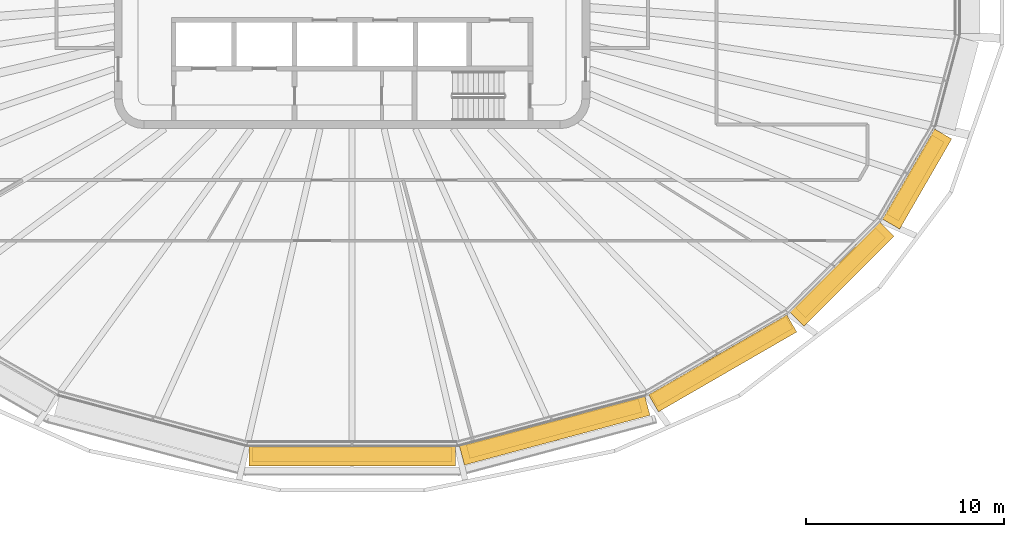
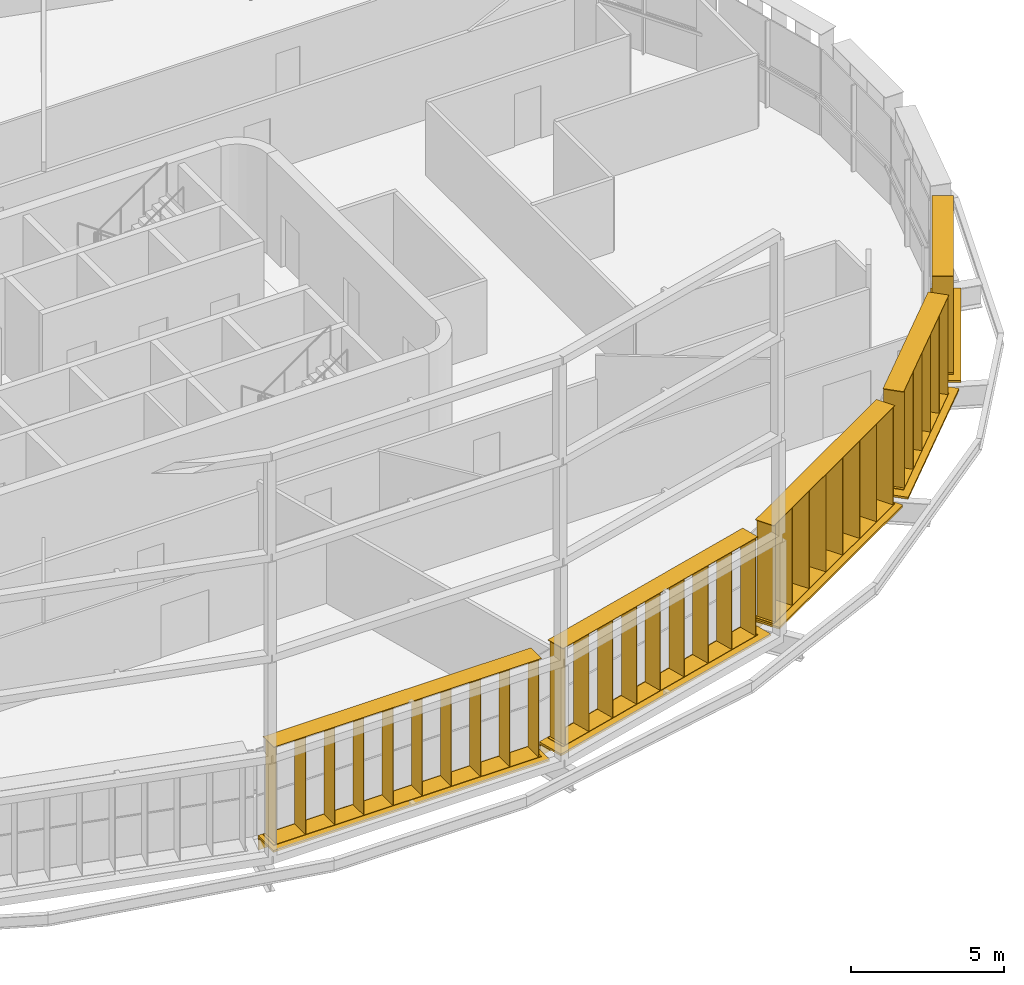
# One storey, part 18 of 20: 10 shading devices.
"""IFC4 building model written with IfcOpenShell, lengths in metres."""

from ifc_helpers import new_model, si_unit, direction, frame, origin, origin_2d, place, context, subcontext, project, spatial, rectangle, extrude, material, type_object, element, save


model = new_model("IFC4")

# Units and contexts
model_context = context("Model", 3, precision=1e-05, world=origin(), true_north=direction((0.0, 1.0)))
body_context = subcontext(model_context, "Body", "Model", "MODEL_VIEW")
ifc_project = project(units=[si_unit("LENGTHUNIT", "METRE"), si_unit("AREAUNIT", "SQUARE_METRE"), si_unit("VOLUMEUNIT", "CUBIC_METRE"), si_unit("PLANEANGLEUNIT", "RADIAN"), si_unit("MASSUNIT", "GRAM", prefix="KILO")], contexts=[model_context])

# Site, building, storey
site_placement = place(None, origin())
site = spatial("IfcSite", under=ifc_project, at=site_placement, CompositionType="ELEMENT")
building_placement = place(site_placement, origin())
building = spatial("IfcBuilding", under=site, at=building_placement, Name="Sahrelin Media Tower", CompositionType="ELEMENT")
storey_placement = place(building_placement, frame((0.0, 0.0, 209.60009765625)))
storey = spatial("IfcBuildingStorey", under=building, at=storey_placement, Name="L44", CompositionType="ELEMENT", Elevation=209.60009765625)

# Shading devices
ifc_material = material(Name="Champagne anodised aluminium 6063-T6", Category="aluminium")
shading_device_type_1 = type_object("IfcShadingDeviceType", Name="Fin cassette", PredefinedType="USERDEFINED", material=ifc_material)
placement_1 = place(storey_placement, frame((0.0, -23.015625, 0.0), z_axis=(0.0, 0.0, 1.0), x_axis=(-1.0, 0.0, 0.0)))
element("IfcShadingDevice", 1, at=placement_1, inside=storey, type_object=shading_device_type_1, Name="L44:FIN:L44-18", ObjectType="FIN", PredefinedType="USERDEFINED", context=body_context, shape_type="SweptSolid", body=[
    extrude(rectangle(XDim=10.10009765625, YDim=0.699951171875, at=origin_2d()), frame((0.0, 0.419921875, 0.0)), (0.0, 0.0, 1.0), 0.02001953125),
    extrude(rectangle(XDim=10.10009765625, YDim=0.699951171875, at=origin_2d()), frame((0.0, 0.419921875, 3.89990234375)), (0.0, 0.0, 1.0), 0.02001953125),
    extrude(rectangle(XDim=0.02001953125, YDim=0.699951171875, at=origin_2d()), frame((-4.949951171875, 0.419921875, 0.010009765625), z_axis=(0.0, 0.0, 1.0), x_axis=(1.0, 0.0, 0.0)), (0.0, 0.0, 1.0), 3.89990234375),
    extrude(rectangle(XDim=0.02001953125, YDim=0.699951171875, at=origin_2d()), frame((-3.85009765625, 0.419921875, 0.010009765625), z_axis=(0.0, 0.0, 1.0), x_axis=(1.0, 0.0, 0.0)), (0.0, 0.0, 1.0), 3.89990234375),
    extrude(rectangle(XDim=0.02001953125, YDim=0.699951171875, at=origin_2d()), frame((-2.75, 0.419921875, 0.010009765625), z_axis=(0.0, 0.0, 1.0), x_axis=(1.0, 0.0, 0.0)), (0.0, 0.0, 1.0), 3.89990234375),
    extrude(rectangle(XDim=0.02001953125, YDim=0.699951171875, at=origin_2d()), frame((-1.64990234375, 0.419921875, 0.010009765625), z_axis=(0.0, 0.0, 1.0), x_axis=(1.0, 0.0, 0.0)), (0.0, 0.0, 1.0), 3.89990234375),
    extrude(rectangle(XDim=0.02001953125, YDim=0.699951171875, at=origin_2d()), frame((-0.550048828125, 0.419921875, 0.010009765625), z_axis=(0.0, 0.0, 1.0), x_axis=(1.0, 0.0, 0.0)), (0.0, 0.0, 1.0), 3.89990234375),
    extrude(rectangle(XDim=0.02001953125, YDim=0.699951171875, at=origin_2d()), frame((0.550048828125, 0.419921875, 0.010009765625), z_axis=(0.0, 0.0, 1.0), x_axis=(1.0, 0.0, 0.0)), (0.0, 0.0, 1.0), 3.89990234375),
    extrude(rectangle(XDim=0.02001953125, YDim=0.699951171875, at=origin_2d()), frame((1.64990234375, 0.419921875, 0.010009765625), z_axis=(0.0, 0.0, 1.0), x_axis=(1.0, 0.0, 0.0)), (0.0, 0.0, 1.0), 3.89990234375),
    extrude(rectangle(XDim=0.02001953125, YDim=0.699951171875, at=origin_2d()), frame((2.75, 0.419921875, 0.010009765625), z_axis=(0.0, 0.0, 1.0), x_axis=(1.0, 0.0, 0.0)), (0.0, 0.0, 1.0), 3.89990234375),
    extrude(rectangle(XDim=0.02001953125, YDim=0.699951171875, at=origin_2d()), frame((3.85009765625, 0.419921875, 0.010009765625), z_axis=(0.0, 0.0, 1.0), x_axis=(1.0, 0.0, 0.0)), (0.0, 0.0, 1.0), 3.89990234375),
    extrude(rectangle(XDim=0.02001953125, YDim=0.699951171875, at=origin_2d()), frame((4.949951171875, 0.419921875, 0.010009765625), z_axis=(0.0, 0.0, 1.0), x_axis=(1.0, 0.0, 0.0)), (0.0, 0.0, 1.0), 3.89990234375),
])
placement_2 = place(storey_placement, frame((10.0869140625, -21.735595703125, 0.0), z_axis=(0.0, 0.0, 1.0), x_axis=(-0.965928857556, -0.258807731996, 0.0)))
element("IfcShadingDevice", 2, at=placement_2, inside=storey, type_object=shading_device_type_1, Name="L44:FIN:L44-19", ObjectType="FIN", PredefinedType="USERDEFINED", context=body_context, shape_type="SweptSolid", body=[
    extrude(rectangle(XDim=9.0, YDim=0.699951171875, at=origin_2d()), frame((0.0, 0.419921875, 0.0)), (0.0, 0.0, 1.0), 0.02001953125),
    extrude(rectangle(XDim=9.0, YDim=0.699951171875, at=origin_2d()), frame((0.0, 0.419921875, 3.89990234375)), (0.0, 0.0, 1.0), 0.02001953125),
    extrude(rectangle(XDim=0.02001953125, YDim=0.699951171875, at=origin_2d()), frame((-4.39990234375, 0.419921875, 0.010009765625), z_axis=(0.0, 0.0, 1.0), x_axis=(1.0, 0.0, 0.0)), (0.0, 0.0, 1.0), 3.89990234375),
    extrude(rectangle(XDim=0.02001953125, YDim=0.699951171875, at=origin_2d()), frame((-3.300048828125, 0.419921875, 0.010009765625), z_axis=(0.0, 0.0, 1.0), x_axis=(1.0, 0.0, 0.0)), (0.0, 0.0, 1.0), 3.89990234375),
    extrude(rectangle(XDim=0.02001953125, YDim=0.699951171875, at=origin_2d()), frame((-2.199951171875, 0.419921875, 0.010009765625), z_axis=(0.0, 0.0, 1.0), x_axis=(1.0, 0.0, 0.0)), (0.0, 0.0, 1.0), 3.89990234375),
    extrude(rectangle(XDim=0.02001953125, YDim=0.699951171875, at=origin_2d()), frame((-1.10009765625, 0.419921875, 0.010009765625), z_axis=(0.0, 0.0, 1.0), x_axis=(1.0, 0.0, 0.0)), (0.0, 0.0, 1.0), 3.89990234375),
    extrude(rectangle(XDim=0.02001953125, YDim=0.699951171875, at=origin_2d()), frame((0.0, 0.419921875, 0.010009765625), z_axis=(0.0, 0.0, 1.0), x_axis=(1.0, 0.0, 0.0)), (0.0, 0.0, 1.0), 3.89990234375),
    extrude(rectangle(XDim=0.02001953125, YDim=0.699951171875, at=origin_2d()), frame((1.10009765625, 0.419921875, 0.010009765625), z_axis=(0.0, 0.0, 1.0), x_axis=(1.0, 0.0, 0.0)), (0.0, 0.0, 1.0), 3.89990234375),
    extrude(rectangle(XDim=0.02001953125, YDim=0.699951171875, at=origin_2d()), frame((2.199951171875, 0.419921875, 0.010009765625), z_axis=(0.0, 0.0, 1.0), x_axis=(1.0, 0.0, 0.0)), (0.0, 0.0, 1.0), 3.89990234375),
    extrude(rectangle(XDim=0.02001953125, YDim=0.699951171875, at=origin_2d()), frame((3.300048828125, 0.419921875, 0.010009765625), z_axis=(0.0, 0.0, 1.0), x_axis=(1.0, 0.0, 0.0)), (0.0, 0.0, 1.0), 3.89990234375),
    extrude(rectangle(XDim=0.02001953125, YDim=0.699951171875, at=origin_2d()), frame((4.39990234375, 0.419921875, 0.010009765625), z_axis=(0.0, 0.0, 1.0), x_axis=(1.0, 0.0, 0.0)), (0.0, 0.0, 1.0), 3.89990234375),
])
placement_3 = place(storey_placement, frame((18.439208984375, -18.3916015625, 0.0), z_axis=(0.0, 0.0, 1.0), x_axis=(-0.866019052629, -0.500011000363, 0.0)))
element("IfcShadingDevice", 3, at=placement_3, inside=storey, type_object=shading_device_type_1, Name="L44:FIN:L44-20", ObjectType="FIN", PredefinedType="USERDEFINED", context=body_context, shape_type="SweptSolid", body=[
    extrude(rectangle(XDim=7.89990234375, YDim=0.699951171875, at=origin_2d()), frame((0.0, 0.419921875, 0.0)), (0.0, 0.0, 1.0), 0.02001953125),
    extrude(rectangle(XDim=7.89990234375, YDim=0.699951171875, at=origin_2d()), frame((0.0, 0.419921875, 3.89990234375)), (0.0, 0.0, 1.0), 0.02001953125),
    extrude(rectangle(XDim=0.02001953125, YDim=0.699951171875, at=origin_2d()), frame((-3.85009765625, 0.419921875, 0.010009765625), z_axis=(0.0, 0.0, 1.0), x_axis=(1.0, 0.0, 0.0)), (0.0, 0.0, 1.0), 3.89990234375),
    extrude(rectangle(XDim=0.02001953125, YDim=0.699951171875, at=origin_2d()), frame((-2.75, 0.419921875, 0.010009765625), z_axis=(0.0, 0.0, 1.0), x_axis=(1.0, 0.0, 0.0)), (0.0, 0.0, 1.0), 3.89990234375),
    extrude(rectangle(XDim=0.02001953125, YDim=0.699951171875, at=origin_2d()), frame((-1.64990234375, 0.419921875, 0.010009765625), z_axis=(0.0, 0.0, 1.0), x_axis=(1.0, 0.0, 0.0)), (0.0, 0.0, 1.0), 3.89990234375),
    extrude(rectangle(XDim=0.02001953125, YDim=0.699951171875, at=origin_2d()), frame((-0.550048828125, 0.419921875, 0.010009765625), z_axis=(0.0, 0.0, 1.0), x_axis=(1.0, 0.0, 0.0)), (0.0, 0.0, 1.0), 3.89990234375),
    extrude(rectangle(XDim=0.02001953125, YDim=0.699951171875, at=origin_2d()), frame((0.550048828125, 0.419921875, 0.010009765625), z_axis=(0.0, 0.0, 1.0), x_axis=(1.0, 0.0, 0.0)), (0.0, 0.0, 1.0), 3.89990234375),
    extrude(rectangle(XDim=0.02001953125, YDim=0.699951171875, at=origin_2d()), frame((1.64990234375, 0.419921875, 0.010009765625), z_axis=(0.0, 0.0, 1.0), x_axis=(1.0, 0.0, 0.0)), (0.0, 0.0, 1.0), 3.89990234375),
    extrude(rectangle(XDim=0.02001953125, YDim=0.699951171875, at=origin_2d()), frame((2.75, 0.419921875, 0.010009765625), z_axis=(0.0, 0.0, 1.0), x_axis=(1.0, 0.0, 0.0)), (0.0, 0.0, 1.0), 3.89990234375),
    extrude(rectangle(XDim=0.02001953125, YDim=0.699951171875, at=origin_2d()), frame((3.85009765625, 0.419921875, 0.010009765625), z_axis=(0.0, 0.0, 1.0), x_axis=(1.0, 0.0, 0.0)), (0.0, 0.0, 1.0), 3.89990234375),
])
placement_4 = place(storey_placement, frame((24.356201171875, -13.985595703125, 0.0), z_axis=(0.0, 0.0, 1.0), x_axis=(-0.707106781187, -0.707106781187, 0.0)))
element("IfcShadingDevice", 4, at=placement_4, inside=storey, type_object=shading_device_type_1, Name="L44:FIN:L44-21", ObjectType="FIN", PredefinedType="USERDEFINED", context=body_context, shape_type="SweptSolid", body=[
    extrude(rectangle(XDim=5.699951171875, YDim=0.699951171875, at=origin_2d()), frame((0.0, 0.419921875, 0.0)), (0.0, 0.0, 1.0), 0.02001953125),
    extrude(rectangle(XDim=5.699951171875, YDim=0.699951171875, at=origin_2d()), frame((0.0, 0.419921875, 3.89990234375)), (0.0, 0.0, 1.0), 0.02001953125),
    extrude(rectangle(XDim=0.02001953125, YDim=0.699951171875, at=origin_2d()), frame((-2.75, 0.419921875, 0.010009765625), z_axis=(0.0, 0.0, 1.0), x_axis=(1.0, 0.0, 0.0)), (0.0, 0.0, 1.0), 3.89990234375),
    extrude(rectangle(XDim=0.02001953125, YDim=0.699951171875, at=origin_2d()), frame((-1.64990234375, 0.419921875, 0.010009765625), z_axis=(0.0, 0.0, 1.0), x_axis=(1.0, 0.0, 0.0)), (0.0, 0.0, 1.0), 3.89990234375),
    extrude(rectangle(XDim=0.02001953125, YDim=0.699951171875, at=origin_2d()), frame((-0.550048828125, 0.419921875, 0.010009765625), z_axis=(0.0, 0.0, 1.0), x_axis=(1.0, 0.0, 0.0)), (0.0, 0.0, 1.0), 3.89990234375),
    extrude(rectangle(XDim=0.02001953125, YDim=0.699951171875, at=origin_2d()), frame((0.550048828125, 0.419921875, 0.010009765625), z_axis=(0.0, 0.0, 1.0), x_axis=(1.0, 0.0, 0.0)), (0.0, 0.0, 1.0), 3.89990234375),
    extrude(rectangle(XDim=0.02001953125, YDim=0.699951171875, at=origin_2d()), frame((1.64990234375, 0.419921875, 0.010009765625), z_axis=(0.0, 0.0, 1.0), x_axis=(1.0, 0.0, 0.0)), (0.0, 0.0, 1.0), 3.89990234375),
    extrude(rectangle(XDim=0.02001953125, YDim=0.699951171875, at=origin_2d()), frame((2.75, 0.419921875, 0.010009765625), z_axis=(0.0, 0.0, 1.0), x_axis=(1.0, 0.0, 0.0)), (0.0, 0.0, 1.0), 3.89990234375),
])
placement_5 = place(storey_placement, frame((28.0615234375, -9.281982421875, 0.0), z_axis=(0.0, 0.0, 1.0), x_axis=(-0.500011000363, -0.866019052629, 0.0)))
element("IfcShadingDevice", 5, at=placement_5, inside=storey, type_object=shading_device_type_1, Name="L44:FIN:L44-22", ObjectType="FIN", PredefinedType="USERDEFINED", context=body_context, shape_type="SweptSolid", body=[
    extrude(rectangle(XDim=4.60009765625, YDim=0.699951171875, at=origin_2d()), frame((0.0, 0.419921875, 0.0)), (0.0, 0.0, 1.0), 0.02001953125),
    extrude(rectangle(XDim=4.60009765625, YDim=0.699951171875, at=origin_2d()), frame((0.0, 0.419921875, 3.89990234375)), (0.0, 0.0, 1.0), 0.02001953125),
    extrude(rectangle(XDim=0.02001953125, YDim=0.699951171875, at=origin_2d()), frame((-2.199951171875, 0.419921875, 0.010009765625), z_axis=(0.0, 0.0, 1.0), x_axis=(1.0, 0.0, 0.0)), (0.0, 0.0, 1.0), 3.89990234375),
    extrude(rectangle(XDim=0.02001953125, YDim=0.699951171875, at=origin_2d()), frame((-1.10009765625, 0.419921875, 0.010009765625), z_axis=(0.0, 0.0, 1.0), x_axis=(1.0, 0.0, 0.0)), (0.0, 0.0, 1.0), 3.89990234375),
    extrude(rectangle(XDim=0.02001953125, YDim=0.699951171875, at=origin_2d()), frame((0.0, 0.419921875, 0.010009765625), z_axis=(0.0, 0.0, 1.0), x_axis=(1.0, 0.0, 0.0)), (0.0, 0.0, 1.0), 3.89990234375),
    extrude(rectangle(XDim=0.02001953125, YDim=0.699951171875, at=origin_2d()), frame((1.10009765625, 0.419921875, 0.010009765625), z_axis=(0.0, 0.0, 1.0), x_axis=(1.0, 0.0, 0.0)), (0.0, 0.0, 1.0), 3.89990234375),
    extrude(rectangle(XDim=0.02001953125, YDim=0.699951171875, at=origin_2d()), frame((2.199951171875, 0.419921875, 0.010009765625), z_axis=(0.0, 0.0, 1.0), x_axis=(1.0, 0.0, 0.0)), (0.0, 0.0, 1.0), 3.89990234375),
])
shading_device_type_2 = type_object("IfcShadingDeviceType", Name="Sunshade band", PredefinedType="USERDEFINED", material=ifc_material)
element("IfcShadingDevice", 6, at=placement_1, inside=storey, type_object=shading_device_type_2, Name="L44:SUN:L44-18", ObjectType="SUNSHADE", PredefinedType="USERDEFINED", context=body_context, shape_type="SweptSolid", body=[
    extrude(rectangle(XDim=10.41943359375, YDim=0.050048828125, at=origin_2d()), frame((0.0, 0.044921875, -0.55126953125)), (0.0, 0.0, 1.0), 0.471435546875),
    extrude(rectangle(XDim=10.41943359375, YDim=1.0, at=origin_2d()), frame((0.0, 0.52001953125, -0.080078125)), (0.0, 0.0, 1.0), 0.080078125),
    extrude(rectangle(XDim=0.10009765625, YDim=0.074951171875, at=origin_2d()), frame((-5.109619140625, -0.017578125, -0.47021484375)), (0.0, 0.0, 1.0), 0.300048828125),
    extrude(rectangle(XDim=0.10009765625, YDim=0.074951171875, at=origin_2d()), frame((-3.406494140625, -0.017578125, -0.47021484375)), (0.0, 0.0, 1.0), 0.300048828125),
    extrude(rectangle(XDim=0.10009765625, YDim=0.074951171875, at=origin_2d()), frame((-1.703125, -0.017578125, -0.47021484375)), (0.0, 0.0, 1.0), 0.300048828125),
    extrude(rectangle(XDim=0.10009765625, YDim=0.074951171875, at=origin_2d()), frame((0.0, -0.017578125, -0.47021484375)), (0.0, 0.0, 1.0), 0.300048828125),
    extrude(rectangle(XDim=0.10009765625, YDim=0.074951171875, at=origin_2d()), frame((1.703125, -0.017578125, -0.47021484375)), (0.0, 0.0, 1.0), 0.300048828125),
    extrude(rectangle(XDim=0.10009765625, YDim=0.074951171875, at=origin_2d()), frame((3.406494140625, -0.017578125, -0.47021484375)), (0.0, 0.0, 1.0), 0.300048828125),
    extrude(rectangle(XDim=0.10009765625, YDim=0.074951171875, at=origin_2d()), frame((5.109619140625, -0.017578125, -0.47021484375)), (0.0, 0.0, 1.0), 0.300048828125),
])
element("IfcShadingDevice", 7, at=placement_2, inside=storey, type_object=shading_device_type_2, Name="L44:SUN:L44-19", ObjectType="SUNSHADE", PredefinedType="USERDEFINED", context=body_context, shape_type="SweptSolid", body=[
    extrude(rectangle(XDim=9.691650390625, YDim=0.050048828125, at=origin_2d()), frame((0.0, 0.044921875, -0.55126953125)), (0.0, 0.0, 1.0), 0.471435546875),
    extrude(rectangle(XDim=9.691650390625, YDim=1.0, at=origin_2d()), frame((0.0, 0.52001953125, -0.080078125)), (0.0, 0.0, 1.0), 0.080078125),
    extrude(rectangle(XDim=0.10009765625, YDim=0.074951171875, at=origin_2d()), frame((-4.745849609375, -0.017578125, -0.47021484375)), (0.0, 0.0, 1.0), 0.300048828125),
    extrude(rectangle(XDim=0.10009765625, YDim=0.074951171875, at=origin_2d()), frame((-2.847412109375, -0.017578125, -0.47021484375)), (0.0, 0.0, 1.0), 0.300048828125),
    extrude(rectangle(XDim=0.10009765625, YDim=0.074951171875, at=origin_2d()), frame((-0.94921875, -0.017578125, -0.47021484375)), (0.0, 0.0, 1.0), 0.300048828125),
    extrude(rectangle(XDim=0.10009765625, YDim=0.074951171875, at=origin_2d()), frame((0.94921875, -0.017578125, -0.47021484375)), (0.0, 0.0, 1.0), 0.300048828125),
    extrude(rectangle(XDim=0.10009765625, YDim=0.074951171875, at=origin_2d()), frame((2.847412109375, -0.017578125, -0.47021484375)), (0.0, 0.0, 1.0), 0.300048828125),
    extrude(rectangle(XDim=0.10009765625, YDim=0.074951171875, at=origin_2d()), frame((4.745849609375, -0.017578125, -0.47021484375)), (0.0, 0.0, 1.0), 0.300048828125),
])
element("IfcShadingDevice", 8, at=placement_3, inside=storey, type_object=shading_device_type_2, Name="L44:SUN:L44-20", ObjectType="SUNSHADE", PredefinedType="USERDEFINED", context=body_context, shape_type="SweptSolid", body=[
    extrude(rectangle(XDim=8.055419921875, YDim=0.050048828125, at=origin_2d()), frame((0.0, 0.044921875, -0.55126953125)), (0.0, 0.0, 1.0), 0.471435546875),
    extrude(rectangle(XDim=8.055419921875, YDim=1.0, at=origin_2d()), frame((0.0, 0.52001953125, -0.080078125)), (0.0, 0.0, 1.0), 0.080078125),
    extrude(rectangle(XDim=0.10009765625, YDim=0.074951171875, at=origin_2d()), frame((-3.927734375, -0.017578125, -0.47021484375)), (0.0, 0.0, 1.0), 0.300048828125),
    extrude(rectangle(XDim=0.10009765625, YDim=0.074951171875, at=origin_2d()), frame((-2.356689453125, -0.017578125, -0.47021484375)), (0.0, 0.0, 1.0), 0.300048828125),
    extrude(rectangle(XDim=0.10009765625, YDim=0.074951171875, at=origin_2d()), frame((-0.78564453125, -0.017578125, -0.47021484375)), (0.0, 0.0, 1.0), 0.300048828125),
    extrude(rectangle(XDim=0.10009765625, YDim=0.074951171875, at=origin_2d()), frame((0.78564453125, -0.017578125, -0.47021484375)), (0.0, 0.0, 1.0), 0.300048828125),
    extrude(rectangle(XDim=0.10009765625, YDim=0.074951171875, at=origin_2d()), frame((2.356689453125, -0.017578125, -0.47021484375)), (0.0, 0.0, 1.0), 0.300048828125),
    extrude(rectangle(XDim=0.10009765625, YDim=0.074951171875, at=origin_2d()), frame((3.927734375, -0.017578125, -0.47021484375)), (0.0, 0.0, 1.0), 0.300048828125),
])
element("IfcShadingDevice", 9, at=placement_4, inside=storey, type_object=shading_device_type_2, Name="L44:SUN:L44-21", ObjectType="SUNSHADE", PredefinedType="USERDEFINED", context=body_context, shape_type="SweptSolid", body=[
    extrude(rectangle(XDim=6.4248046875, YDim=0.050048828125, at=origin_2d()), frame((0.0, 0.044921875, -0.55126953125)), (0.0, 0.0, 1.0), 0.471435546875),
    extrude(rectangle(XDim=6.4248046875, YDim=1.0, at=origin_2d()), frame((0.0, 0.52001953125, -0.080078125)), (0.0, 0.0, 1.0), 0.080078125),
    extrude(rectangle(XDim=0.10009765625, YDim=0.074951171875, at=origin_2d()), frame((-3.1123046875, -0.017578125, -0.47021484375)), (0.0, 0.0, 1.0), 0.300048828125),
    extrude(rectangle(XDim=0.10009765625, YDim=0.074951171875, at=origin_2d()), frame((-1.55615234375, -0.017578125, -0.47021484375)), (0.0, 0.0, 1.0), 0.300048828125),
    extrude(rectangle(XDim=0.10009765625, YDim=0.074951171875, at=origin_2d()), frame((0.0, -0.017578125, -0.47021484375)), (0.0, 0.0, 1.0), 0.300048828125),
    extrude(rectangle(XDim=0.10009765625, YDim=0.074951171875, at=origin_2d()), frame((1.55615234375, -0.017578125, -0.47021484375)), (0.0, 0.0, 1.0), 0.300048828125),
    extrude(rectangle(XDim=0.10009765625, YDim=0.074951171875, at=origin_2d()), frame((3.1123046875, -0.017578125, -0.47021484375)), (0.0, 0.0, 1.0), 0.300048828125),
])
element("IfcShadingDevice", 10, at=placement_5, inside=storey, type_object=shading_device_type_2, Name="L44:SUN:L44-22", ObjectType="SUNSHADE", PredefinedType="USERDEFINED", context=body_context, shape_type="SweptSolid", body=[
    extrude(rectangle(XDim=5.253173828125, YDim=0.050048828125, at=origin_2d()), frame((0.0, 0.044921875, -0.55126953125)), (0.0, 0.0, 1.0), 0.471435546875),
    extrude(rectangle(XDim=5.253173828125, YDim=1.0, at=origin_2d()), frame((0.0, 0.52001953125, -0.080078125)), (0.0, 0.0, 1.0), 0.080078125),
    extrude(rectangle(XDim=0.10009765625, YDim=0.074951171875, at=origin_2d()), frame((-2.526611328125, -0.017578125, -0.47021484375)), (0.0, 0.0, 1.0), 0.300048828125),
    extrude(rectangle(XDim=0.10009765625, YDim=0.074951171875, at=origin_2d()), frame((-0.84228515625, -0.017578125, -0.47021484375)), (0.0, 0.0, 1.0), 0.300048828125),
    extrude(rectangle(XDim=0.10009765625, YDim=0.074951171875, at=origin_2d()), frame((0.84228515625, -0.017578125, -0.47021484375)), (0.0, 0.0, 1.0), 0.300048828125),
    extrude(rectangle(XDim=0.10009765625, YDim=0.074951171875, at=origin_2d()), frame((2.526611328125, -0.017578125, -0.47021484375)), (0.0, 0.0, 1.0), 0.300048828125),
])

save(model, "model.ifc")
